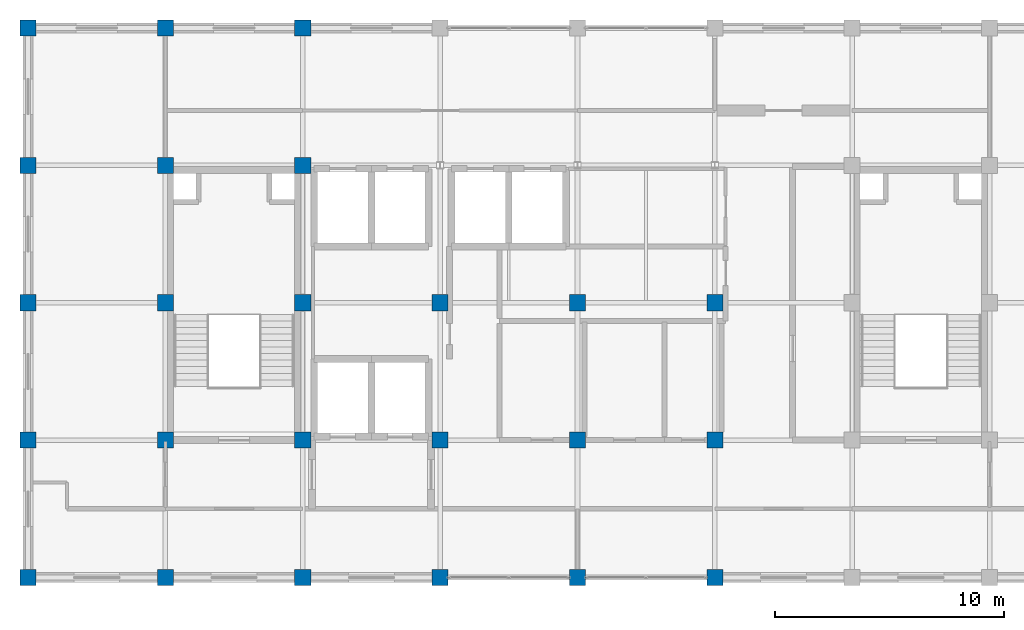
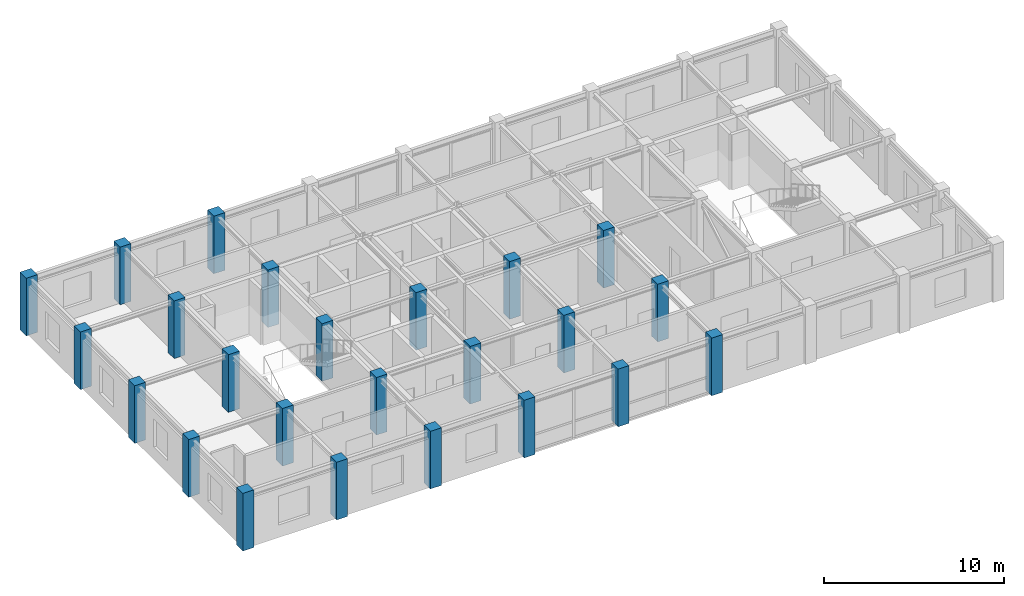
# One storey, part 1 of 11: 24 columns.
"""IFC4 building model written with IfcOpenShell, lengths in metres."""

from ifc_helpers import new_model, si_unit, direction, frame, origin, origin_2d, place, context, subcontext, project, spatial, rectangle, extrude, material, material_profile, profile_set, type_object, element, save


model = new_model("IFC4")

# Units and contexts
model_context = context("Model", 3, precision=1e-05, world=origin(), true_north=direction((0.0, 1.0)))
body_context = subcontext(model_context, "Body", "Model", "MODEL_VIEW")
ifc_project = project(units=[si_unit("LENGTHUNIT", "METRE"), si_unit("AREAUNIT", "SQUARE_METRE"), si_unit("VOLUMEUNIT", "CUBIC_METRE"), si_unit("PLANEANGLEUNIT", "RADIAN"), si_unit("MASSUNIT", "GRAM", prefix="KILO")], contexts=[model_context])

# Site, building, storey
site_placement = place(None, origin())
site = spatial("IfcSite", under=ifc_project, at=site_placement, CompositionType="ELEMENT")
building_placement = place(site_placement, origin())
building = spatial("IfcBuilding", under=site, at=building_placement, Name="Zlatovratsky Civic Hall", CompositionType="ELEMENT")
storey_placement = place(building_placement, frame((0.0, 0.0, 56.10009765625)))
storey = spatial("IfcBuildingStorey", under=building, at=storey_placement, Name="L14", CompositionType="ELEMENT", Elevation=56.10009765625)

# Columns
ifc_material = material(Name="Concrete C35/45 (B40)", Category="concrete")
ifc_material_profile = material_profile(ifc_material, rectangle(XDim=0.699951171875, YDim=0.699951171875, at=origin_2d()), Name="RC 700x700")
ifc_profile_set = profile_set([ifc_material_profile], Name="Concrete C35/45 (B40)")
column_type = type_object("IfcColumnType", Name="Col_CorePier_RC700", PredefinedType="COLUMN", material=ifc_profile_set)
for number, where, z_axis, x_axis, name in (
    (1, (60.0, 78.0, 0.0), (0.0, 0.0, 1.0), (1.0, 0.0, 0.0), "CL-2510"),
    (2, (66.0, 78.0, 0.0), (0.0, 0.0, 1.0), (1.0, 0.0, 0.0), "CL-2511"),
    (3, (72.0, 78.0, 0.0), (0.0, 0.0, 1.0), (1.0, 0.0, 0.0), "CL-2512"),
    (4, (78.0, 78.0, 0.0), (0.0, 0.0, 1.0), (1.0, 0.0, 0.0), "CL-2513"),
    (5, (84.0, 78.0, 0.0), (0.0, 0.0, 1.0), (1.0, 0.0, 0.0), "CL-2514"),
    (6, (90.0, 78.0, 0.0), (0.0, 0.0, 1.0), (1.0, 0.0, 0.0), "CL-2515"),
    (7, (60.0, 84.0, 0.0), (0.0, 0.0, 1.0), (1.0, 0.0, 0.0), "CL-2519"),
    (8, (66.0, 84.0, 0.0), (0.0, 0.0, 1.0), (1.0, 0.0, 0.0), "CL-2520"),
    (9, (72.0, 84.0, 0.0), (0.0, 0.0, 1.0), (1.0, 0.0, 0.0), "CL-2521"),
    (10, (78.0, 84.0, 0.0), (0.0, 0.0, 1.0), (1.0, 0.0, 0.0), "CL-2522"),
    (11, (84.0, 84.0, 0.0), (0.0, 0.0, 1.0), (1.0, 0.0, 0.0), "CL-2523"),
    (12, (90.0, 84.0, 0.0), (0.0, 0.0, 1.0), (1.0, 0.0, 0.0), "CL-2524"),
    (13, (60.0, 90.0, 0.0), (0.0, 0.0, 1.0), (1.0, 0.0, 0.0), "CL-2528"),
    (14, (66.0, 90.0, 0.0), (0.0, 0.0, 1.0), (1.0, 0.0, 0.0), "CL-2529"),
    (15, (72.0, 90.0, 0.0), (0.0, 0.0, 1.0), (1.0, 0.0, 0.0), "CL-2530"),
    (16, (78.0, 90.0, 0.0), (0.0, 0.0, 1.0), (1.0, 0.0, 0.0), "CL-2531"),
    (17, (84.0, 90.0, 0.0), (0.0, 0.0, 1.0), (1.0, 0.0, 0.0), "CL-2532"),
    (18, (90.0, 90.0, 0.0), (0.0, 0.0, 1.0), (1.0, 0.0, 0.0), "CL-2533"),
    (19, (60.0, 96.0, 0.0), (0.0, 0.0, 1.0), (1.0, 0.0, 0.0), "CL-2537"),
    (20, (66.0, 96.0, 0.0), (0.0, 0.0, 1.0), (1.0, 0.0, 0.0), "CL-2538"),
    (21, (72.0, 96.0, 0.0), (0.0, 0.0, 1.0), (1.0, 0.0, 0.0), "CL-2539"),
    (22, (60.0, 102.0, 0.0), (0.0, 0.0, 1.0), (1.0, 0.0, 0.0), "CL-2546"),
    (23, (66.0, 102.0, 0.0), (0.0, 0.0, 1.0), (1.0, 0.0, 0.0), "CL-2547"),
    (24, (72.0, 102.0, 0.0), (0.0, 0.0, 1.0), (1.0, 0.0, 0.0), "CL-2548"),
):
    element("IfcColumn", number, at=place(storey_placement, frame(where, z_axis=z_axis, x_axis=x_axis)), inside=storey, type_object=column_type, Name=name, PredefinedType="COLUMN", context=body_context, shape_type="SweptSolid", body=[
        extrude(rectangle(XDim=0.699951171875, YDim=0.699951171875, at=origin_2d()), origin(), (0.0, 0.0, 1.0), 3.89990234375),
    ])

save(model, "model.ifc")
